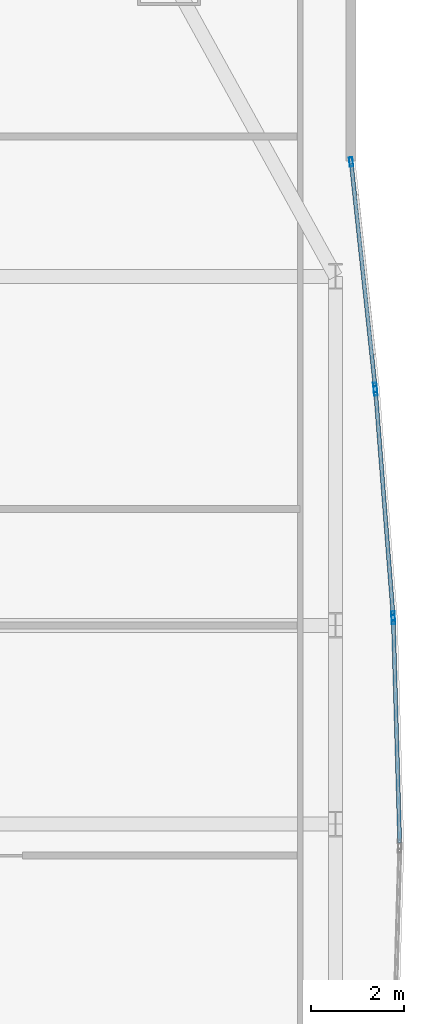
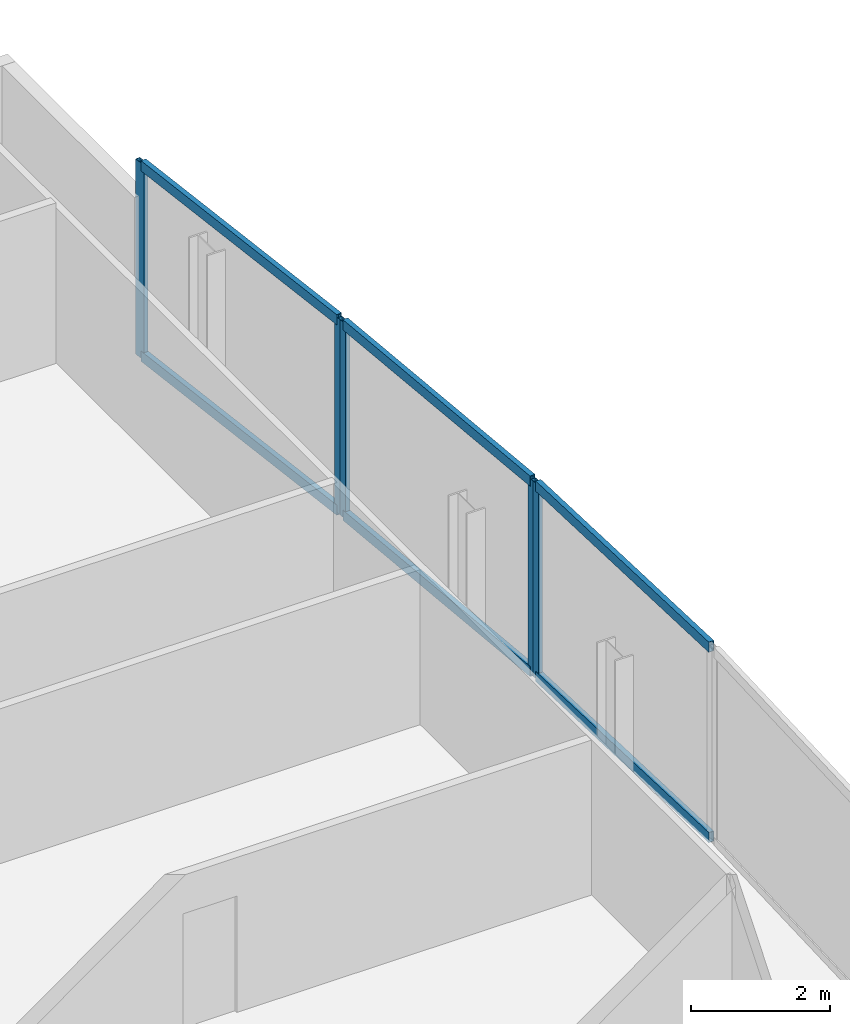
# One storey, part 22 of 29: 11 members, 3 elements without a shape of their own.
"""IFC4 building model written with IfcOpenShell, lengths in metres."""

from ifc_helpers import new_model, si_unit, direction, frame, origin, origin_2d, place, context, subcontext, project, spatial, hollow_rectangle, extrude, material, material_profile, profile_set, type_object, element, aggregate, save


model = new_model("IFC4")

# Units and contexts
model_context = context("Model", 3, precision=1e-05, world=origin(), true_north=direction((0.0, 1.0)))
body_context = subcontext(model_context, "Body", "Model", "MODEL_VIEW")
ifc_project = project(units=[si_unit("LENGTHUNIT", "METRE"), si_unit("AREAUNIT", "SQUARE_METRE"), si_unit("VOLUMEUNIT", "CUBIC_METRE"), si_unit("PLANEANGLEUNIT", "RADIAN"), si_unit("MASSUNIT", "GRAM", prefix="KILO")], contexts=[model_context])

# Site, building, storey
site_placement = place(None, origin())
site = spatial("IfcSite", under=ifc_project, at=site_placement, CompositionType="ELEMENT")
building_placement = place(site_placement, origin())
building = spatial("IfcBuilding", under=site, at=building_placement, Name="Khoronbel Lancet Exchange", CompositionType="ELEMENT")
storey_placement = place(building_placement, frame((0.0, 0.0, 139.800048828125)))
storey = spatial("IfcBuildingStorey", under=building, at=storey_placement, Name="L34", CompositionType="ELEMENT", Elevation=139.800048828125)

# Curtain wall, members
ifc_material_1 = material(Name="Low-E Solar Control Insulating Glass", Category="glass")
curtain_wall_type = type_object("IfcCurtainWallType", Name="CW-4", PredefinedType="NOTDEFINED", material=ifc_material_1)
curtain_wall_1_placement = place(storey_placement, origin())
curtain_wall_1 = element("IfcCurtainWall", 1, at=curtain_wall_1_placement, inside=storey, type_object=curtain_wall_type, Name="Unitised curtain wall CW-L34-E17", PredefinedType="NOTDEFINED")
ifc_material_2 = material(Name="Bronze-Anodised Aluminium 6063-T6", Category="aluminium")
ifc_material_profile_1 = material_profile(ifc_material_2, hollow_rectangle(XDim=0.074951171875, YDim=0.199951171875, WallThickness=0.0048828125, at=origin_2d()), Name="ALU MULLION 75x200")
ifc_profile_set_1 = profile_set([ifc_material_profile_1], Name="Bronze-Anodised Aluminium 6063-T6")
member_type_1 = type_object("IfcMemberType", Name="MEM-CWM2", PredefinedType="MULLION", material=ifc_profile_set_1)
member_1_placement = place(storey_placement, frame((67.9638671875, 45.657958984375, 0.0), z_axis=(0.0, 0.0, 1.0), x_axis=(0.994346859972, 0.106180610586, 0.0)))
member_1 = element("IfcMember", 2, at=member_1_placement, type_object=member_type_1, Name="CW4 mullion 1", PredefinedType="MULLION", context=body_context, shape_type="SweptSolid", body=[
    extrude(hollow_rectangle(XDim=0.074951171875, YDim=0.199951171875, WallThickness=0.0048828125, at=origin_2d()), origin(), (0.0, 0.0, 1.0), 3.43994140625),
])
member_2_placement = place(storey_placement, frame((68.4814453125, 40.812255859375, 0.0), z_axis=(0.0, 0.0, 1.0), x_axis=(0.994346859972, 0.106180610586, 0.0)))
member_2 = element("IfcMember", 3, at=member_2_placement, type_object=member_type_1, Name="CW4 mullion 2", PredefinedType="MULLION", context=body_context, shape_type="SweptSolid", body=[
    extrude(hollow_rectangle(XDim=0.074951171875, YDim=0.199951171875, WallThickness=0.0048828125, at=origin_2d()), origin(), (0.0, 0.0, 1.0), 3.43994140625),
])

curtain_wall_2_placement = place(storey_placement, origin())
curtain_wall_2 = element("IfcCurtainWall", 4, at=curtain_wall_2_placement, inside=storey, type_object=curtain_wall_type, Name="Unitised curtain wall CW-L34-E18", PredefinedType="NOTDEFINED")
member_3_placement = place(storey_placement, frame((68.48828125, 40.737548828125, 0.0), z_axis=(0.0, 0.0, 1.0), x_axis=(0.996959555693, 0.077920756627, 0.0)))
member_3 = element("IfcMember", 5, at=member_3_placement, type_object=member_type_1, Name="CW4 mullion 1", PredefinedType="MULLION", context=body_context, shape_type="SweptSolid", body=[
    extrude(hollow_rectangle(XDim=0.074951171875, YDim=0.199951171875, WallThickness=0.0048828125, at=origin_2d()), origin(), (0.0, 0.0, 1.0), 3.43994140625),
])
member_4_placement = place(storey_placement, frame((68.866455078125, 35.899169921875, 0.0), z_axis=(0.0, 0.0, 1.0), x_axis=(0.996959555693, 0.077920756627, 0.0)))
member_4 = element("IfcMember", 6, at=member_4_placement, type_object=member_type_1, Name="CW4 mullion 2", PredefinedType="MULLION", context=body_context, shape_type="SweptSolid", body=[
    extrude(hollow_rectangle(XDim=0.074951171875, YDim=0.199951171875, WallThickness=0.0048828125, at=origin_2d()), origin(), (0.0, 0.0, 1.0), 3.43994140625),
])

# Curtain wall, member
curtain_wall_3_placement = place(storey_placement, origin())
curtain_wall_3 = element("IfcCurtainWall", 7, at=curtain_wall_3_placement, inside=storey, type_object=curtain_wall_type, Name="Unitised curtain wall CW-L34-E19", PredefinedType="NOTDEFINED")
member_5_placement = place(storey_placement, frame((68.870361328125, 35.824462890625, 0.0), z_axis=(0.0, 0.0, 1.0), x_axis=(0.999590574553, 0.028612641702, 0.0)))
member_5 = element("IfcMember", 8, at=member_5_placement, type_object=member_type_1, Name="CW4 mullion 1", PredefinedType="MULLION", context=body_context, shape_type="SweptSolid", body=[
    extrude(hollow_rectangle(XDim=0.074951171875, YDim=0.199951171875, WallThickness=0.0048828125, at=origin_2d()), origin(), (0.0, 0.0, 1.0), 3.43994140625),
])

# Member
ifc_material_profile_2 = material_profile(ifc_material_2, hollow_rectangle(XDim=0.0849609375, YDim=0.179931640625, WallThickness=0.0048828125, at=origin_2d()), Name="ALU TRANSOM 85x180")
ifc_profile_set_2 = profile_set([ifc_material_profile_2], Name="Bronze-Anodised Aluminium 6063-T6")
member_type_2 = type_object("IfcMemberType", Name="MEM-CWT1", PredefinedType="USERDEFINED", material=ifc_profile_set_2)
member_6_placement = place(storey_placement, frame((67.968017578125, 45.62060546875, 0.04248046875), z_axis=(0.106191761921, -0.994345669121, 0.0), x_axis=(0.994345669121, 0.106191761921, 0.0)))
member_6 = element("IfcMember", 9, at=member_6_placement, type_object=member_type_2, Name="CW4 transom 1.1", ObjectType="TRANSOM", PredefinedType="USERDEFINED", context=body_context, shape_type="SweptSolid", body=[
    extrude(hollow_rectangle(XDim=0.0849609375, YDim=0.179931640625, WallThickness=0.0048828125, at=origin_2d()), origin(), (0.0, 0.0, 1.0), 4.798095703125),
])

member_7_placement = place(storey_placement, frame((67.968017578125, 45.62060546875, 3.3974609375), z_axis=(0.106191761921, -0.994345669121, 0.0), x_axis=(0.994345669121, 0.106191761921, 0.0)))
member_7 = element("IfcMember", 10, at=member_7_placement, type_object=member_type_2, Name="CW4 transom 1.2", ObjectType="TRANSOM", PredefinedType="USERDEFINED", context=body_context, shape_type="SweptSolid", body=[
    extrude(hollow_rectangle(XDim=0.0849609375, YDim=0.179931640625, WallThickness=0.0048828125, at=origin_2d()), origin(), (0.0, 0.0, 1.0), 4.798095703125),
])

aggregate(curtain_wall_1, [member_1, member_2, member_6, member_7])

member_8_placement = place(storey_placement, frame((68.4912109375, 40.7001953125, 0.04248046875), z_axis=(0.077923377074, -0.996959350879, 0.0), x_axis=(0.996959350879, 0.077923377074, 0.0)))
member_8 = element("IfcMember", 11, at=member_8_placement, type_object=member_type_2, Name="CW4 transom 1.1", ObjectType="TRANSOM", PredefinedType="USERDEFINED", context=body_context, shape_type="SweptSolid", body=[
    extrude(hollow_rectangle(XDim=0.0849609375, YDim=0.179931640625, WallThickness=0.0048828125, at=origin_2d()), origin(), (0.0, 0.0, 1.0), 4.778076171875),
])

member_9_placement = place(storey_placement, frame((68.4912109375, 40.7001953125, 3.3974609375), z_axis=(0.077923377074, -0.996959350879, 0.0), x_axis=(0.996959350879, 0.077923377074, 0.0)))
member_9 = element("IfcMember", 12, at=member_9_placement, type_object=member_type_2, Name="CW4 transom 1.2", ObjectType="TRANSOM", PredefinedType="USERDEFINED", context=body_context, shape_type="SweptSolid", body=[
    extrude(hollow_rectangle(XDim=0.0849609375, YDim=0.179931640625, WallThickness=0.0048828125, at=origin_2d()), origin(), (0.0, 0.0, 1.0), 4.778076171875),
])

aggregate(curtain_wall_2, [member_3, member_4, member_8, member_9])

member_10_placement = place(storey_placement, frame((68.87158203125, 35.786865234375, 0.04248046875), z_axis=(0.028596349692, -0.999591040768, 0.0), x_axis=(0.999591040768, 0.028596349692, 0.0)))
member_10 = element("IfcMember", 13, at=member_10_placement, type_object=member_type_2, Name="CW4 transom 1.1", ObjectType="TRANSOM", PredefinedType="USERDEFINED", context=body_context, shape_type="SweptSolid", body=[
    extrude(hollow_rectangle(XDim=0.0849609375, YDim=0.179931640625, WallThickness=0.0048828125, at=origin_2d()), origin(), (0.0, 0.0, 1.0), 4.763916015625),
])

member_11_placement = place(storey_placement, frame((68.87158203125, 35.786865234375, 3.3974609375), z_axis=(0.028596349692, -0.999591040768, 0.0), x_axis=(0.999591040768, 0.028596349692, 0.0)))
member_11 = element("IfcMember", 14, at=member_11_placement, type_object=member_type_2, Name="CW4 transom 1.2", ObjectType="TRANSOM", PredefinedType="USERDEFINED", context=body_context, shape_type="SweptSolid", body=[
    extrude(hollow_rectangle(XDim=0.0849609375, YDim=0.179931640625, WallThickness=0.0048828125, at=origin_2d()), origin(), (0.0, 0.0, 1.0), 4.763916015625),
])

aggregate(curtain_wall_3, [member_5, member_10, member_11])

save(model, "model.ifc")
